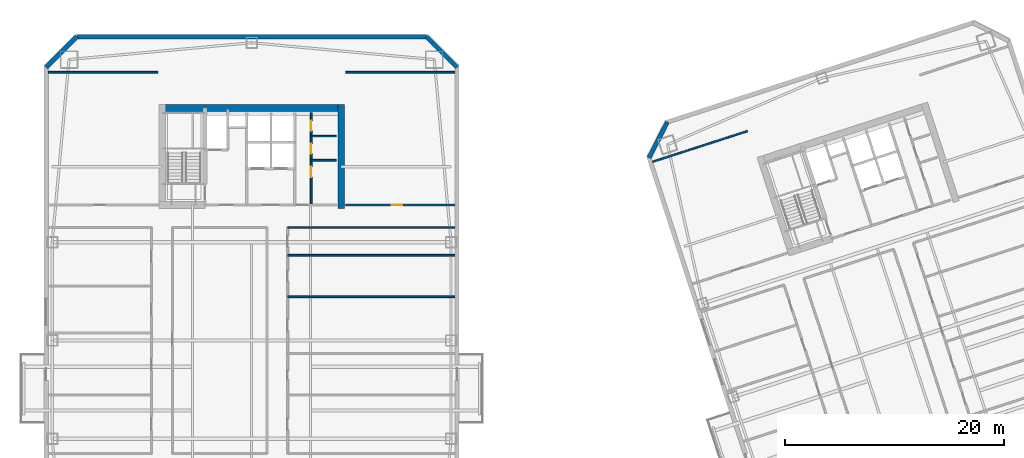
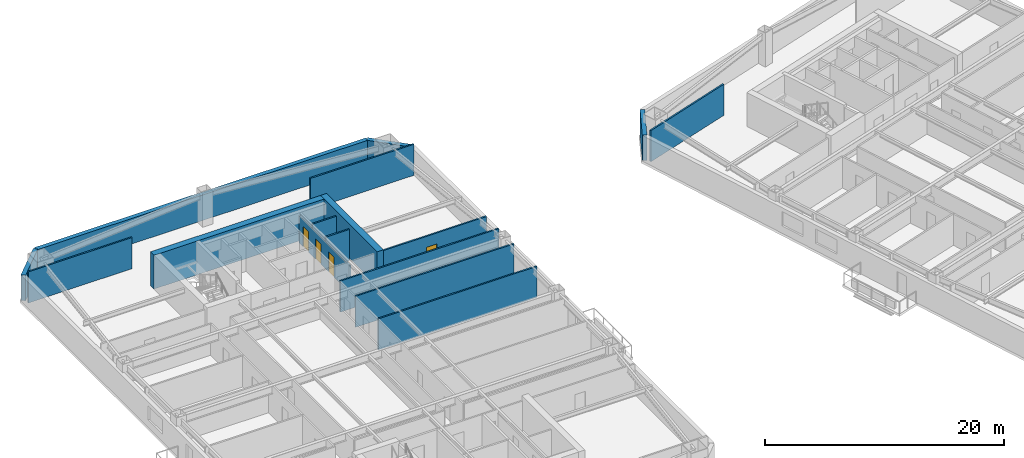
# One storey, part 6 of 14: 16 walls, 4 doors, 4 openings.
"""IFC4 building model written with IfcOpenShell, lengths in metres."""

from ifc_helpers import new_model, si_unit, direction, frame, frame_2d, origin, place, context, subcontext, project, spatial, rectangle, extrude, material, layer, layer_set, type_object, element, fill, save


model = new_model("IFC4")

# Units and contexts
model_context = context("Model", 3, precision=1e-05, world=origin(), true_north=direction((0.0, 1.0)))
body_context = subcontext(model_context, "Body", "Model", "MODEL_VIEW")
ifc_project = project(units=[si_unit("LENGTHUNIT", "METRE"), si_unit("AREAUNIT", "SQUARE_METRE"), si_unit("VOLUMEUNIT", "CUBIC_METRE"), si_unit("PLANEANGLEUNIT", "RADIAN"), si_unit("MASSUNIT", "GRAM", prefix="KILO")], contexts=[model_context])

# Site, building, storey
site_placement = place(None, origin())
site = spatial("IfcSite", under=ifc_project, at=site_placement, CompositionType="ELEMENT")
building_placement = place(site_placement, origin())
building = spatial("IfcBuilding", under=site, at=building_placement, Name="Qiaolan Cultural Towers", CompositionType="ELEMENT")
storey_placement = place(building_placement, frame((0.0, 0.0, 103.5)))
storey = spatial("IfcBuildingStorey", under=building, at=storey_placement, Name="L26", CompositionType="ELEMENT", Elevation=103.5)

# Walls
ifc_material_1 = material(Name="Concrete C55", Category="concrete")
ifc_layer_1 = layer(ifc_material_1, 0.60009765625)
ifc_layer_set_1 = layer_set([ifc_layer_1], Name="Concrete C55")
wall_type_1 = type_object("IfcWallType", Name="WL-CORE-600", PredefinedType="SHEAR", material=ifc_layer_set_1)
wall_1_placement = place(storey_placement, frame((21.5, 55.280029296875, 0.0), z_axis=(0.0, 0.0, 1.0), x_axis=(1.0, 0.0, 0.0)))
element("IfcWall", 1, at=wall_1_placement, inside=storey, type_object=wall_type_1, Name="L26 T1-CN Outer Core Shear Wall", PredefinedType="SHEAR", context=body_context, shape_type="SweptSolid", body=[
    extrude(rectangle(XDim=17.0, YDim=0.60009765625, at=frame_2d((8.5, 0.0))), origin(), (0.0, 0.0, 1.0), 3.449951171875),
])
wall_2_placement = place(storey_placement, frame((38.199951171875, 46.10009765625, 0.0), z_axis=(0.0, 0.0, 1.0), x_axis=(0.0, 1.0, 0.0)))
element("IfcWall", 2, at=wall_2_placement, inside=storey, type_object=wall_type_1, Name="L26 T1-CN East Core Shear Wall", PredefinedType="SHEAR", context=body_context, shape_type="SweptSolid", body=[
    extrude(rectangle(XDim=9.47998046875, YDim=0.60009765625, at=frame_2d((4.739990234375, 0.0))), origin(), (0.0, 0.0, 1.0), 3.449951171875),
])
ifc_material_2 = material(Name="Precast Concrete C50 Honed Stone Pier", Category="masonry")
ifc_layer_2 = layer(ifc_material_2, 0.39990234375)
ifc_layer_set_2 = layer_set([ifc_layer_2], Name="Precast Concrete C50 Honed Stone Pier")
wall_type_2 = type_object("IfcWallType", Name="WL-EXT-PIER-400", PredefinedType="SOLIDWALL", material=ifc_layer_set_2)
wall_3_placement = place(storey_placement, frame((11.199951171875, 59.0, 0.0), z_axis=(0.0, 0.0, 1.0), x_axis=(0.707106781187, 0.707106781187, 0.0)))
element("IfcWall", 3, at=wall_3_placement, inside=storey, type_object=wall_type_2, Name="L26 West Tower Precast Pier Facade Wall F2", PredefinedType="SOLIDWALL", context=body_context, shape_type="SweptSolid", body=[
    extrude(rectangle(XDim=3.9599609375, YDim=0.39990234375, at=frame_2d((1.97998046875, 0.0))), origin(), (0.0, 0.0, 1.0), 2.610107421875),
])
wall_4_placement = place(storey_placement, frame((14.0, 61.800048828125, 0.0), z_axis=(0.0, 0.0, 1.0), x_axis=(1.0, 0.0, 0.0)))
element("IfcWall", 4, at=wall_4_placement, inside=storey, type_object=wall_type_2, Name="L26 West Tower Precast Pier Facade Wall F3", PredefinedType="SOLIDWALL", context=body_context, shape_type="SweptSolid", body=[
    extrude(rectangle(XDim=32.0, YDim=0.39990234375, at=frame_2d((16.0, 0.0))), origin(), (0.0, 0.0, 1.0), 2.610107421875),
])
wall_5_placement = place(storey_placement, frame((46.0, 61.800048828125, 0.0), z_axis=(0.0, 0.0, 1.0), x_axis=(0.707106781187, -0.707106781187, 0.0)))
element("IfcWall", 5, at=wall_5_placement, inside=storey, type_object=wall_type_2, Name="L26 West Tower Precast Pier Facade Wall F4", PredefinedType="SOLIDWALL", context=body_context, shape_type="SweptSolid", body=[
    extrude(rectangle(XDim=3.9599609375, YDim=0.39990234375, at=frame_2d((1.97998046875, 0.0))), origin(), (0.0, 0.0, 1.0), 2.610107421875),
])
wall_6_placement = place(storey_placement, frame((66.37744140625, 50.718505859375, 0.0), z_axis=(0.0, 0.0, 1.0), x_axis=(0.454026238093, 0.890988313685, 0.0)))
element("IfcWall", 6, at=wall_6_placement, inside=storey, type_object=wall_type_2, Name="L26 East Tower Precast Pier Facade Wall F2", PredefinedType="SOLIDWALL", context=body_context, shape_type="SweptSolid", body=[
    extrude(rectangle(XDim=3.677001953125, YDim=0.39990234375, at=frame_2d((1.83837890625, 0.0))), origin(), (0.0, 0.0, 1.0), 2.610107421875),
])

# Wall, openings, doors
ifc_material_3 = material(Name="Autoclaved Aerated Concrete Block B06", Category="concrete")
ifc_layer_3 = layer(ifc_material_3, 0.14990234375)
ifc_layer_set_3 = layer_set([ifc_layer_3], Name="Autoclaved Aerated Concrete Block B06")
wall_type_3 = type_object("IfcWallType", Name="WL-PART-150", PredefinedType="PARTITIONING", material=ifc_layer_set_3)
wall_7_placement = place(storey_placement, frame((35.449951171875, 46.39990234375, 0.0), z_axis=(0.0, 0.0, 1.0), x_axis=(0.0, 1.0, 0.0)))
wall_7 = element("IfcWall", 7, at=wall_7_placement, inside=storey, type_object=wall_type_3, Name="L26 T1-CN Sanitary Vestibule Wall", PredefinedType="PARTITIONING", context=body_context, shape_type="SweptSolid", body=[
    extrude(rectangle(XDim=8.43017578125, YDim=0.14990234375, at=frame_2d((4.215087890625, 0.0))), origin(), (0.0, 0.0, 1.0), 2.764892578125),
])
opening_1_placement = place(wall_7_placement, frame((2.550048828125, 0.0, 0.0)))
opening_1 = element("IfcOpeningElement", 8, at=opening_1_placement, cuts=wall_7, Name="Opening ID-05", PredefinedType="OPENING", context=body_context, shape_type="SweptSolid", body=[
    extrude(rectangle(XDim=0.949951171875, YDim=2.050048828125, at=frame_2d((0.47509765625, 1.02490234375))), frame((0.0, 0.0849609375, 0.0), z_axis=(0.0, -1.0, 0.0), x_axis=(1.0, 0.0, 0.0)), (0.0, 0.0, 1.0), 0.169921875),
])
opening_2_placement = place(wall_7_placement, frame((4.699951171875, 0.0, 0.0)))
opening_2 = element("IfcOpeningElement", 9, at=opening_2_placement, cuts=wall_7, Name="Opening ID-06", PredefinedType="OPENING", context=body_context, shape_type="SweptSolid", body=[
    extrude(rectangle(XDim=0.89990234375, YDim=2.050048828125, at=frame_2d((0.449951171875, 1.02490234375))), frame((0.0, 0.0849609375, 0.0), z_axis=(0.0, -1.0, 0.0), x_axis=(1.0, 0.0, 0.0)), (0.0, 0.0, 1.0), 0.169921875),
])
opening_3_placement = place(wall_7_placement, frame((6.800048828125, 0.0, 0.0)))
opening_3 = element("IfcOpeningElement", 10, at=opening_3_placement, cuts=wall_7, Name="Opening ID-06", PredefinedType="OPENING", context=body_context, shape_type="SweptSolid", body=[
    extrude(rectangle(XDim=0.89990234375, YDim=2.050048828125, at=frame_2d((0.449951171875, 1.02490234375))), frame((0.0, 0.0849609375, 0.0), z_axis=(0.0, -1.0, 0.0), x_axis=(1.0, 0.0, 0.0)), (0.0, 0.0, 1.0), 0.169921875),
])
ifc_material_4 = material(Name="Fire-Rated Laminate Core Service Door", Category="timber")
door_type_1 = type_object("IfcDoorType", Name="DR-INT-900", OperationType="NOTDEFINED", PredefinedType="DOOR", material=ifc_material_4)
door_1_placement = place(opening_2_placement, origin())
door_1 = element("IfcDoor", 11, at=door_1_placement, inside=storey, type_object=door_type_1, Name="L26 Men Washroom Door", OperationType="SINGLE_SWING_LEFT", OverallHeight=2.050048828125, OverallWidth=0.89990234375, PredefinedType="DOOR", context=body_context, shape_type="SweptSolid", body=[
    extrude(rectangle(XDim=0.89990234375, YDim=2.050048828125, at=frame_2d((0.449951171875, 1.02490234375))), frame((0.0, 0.02490234375, 0.0), z_axis=(0.0, -1.0, 0.0), x_axis=(1.0, 0.0, 0.0)), (0.0, 0.0, 1.0), 0.050048828125),
])
fill(opening_2, door_1)
door_2_placement = place(opening_3_placement, origin())
door_2 = element("IfcDoor", 12, at=door_2_placement, inside=storey, type_object=door_type_1, Name="L26 Women Washroom Door", OperationType="SINGLE_SWING_RIGHT", OverallHeight=2.050048828125, OverallWidth=0.89990234375, PredefinedType="DOOR", context=body_context, shape_type="SweptSolid", body=[
    extrude(rectangle(XDim=0.89990234375, YDim=2.050048828125, at=frame_2d((0.449951171875, 1.02490234375))), frame((0.0, 0.02490234375, 0.0), z_axis=(0.0, -1.0, 0.0), x_axis=(1.0, 0.0, 0.0)), (0.0, 0.0, 1.0), 0.050048828125),
])
fill(opening_3, door_2)
ifc_material_5 = material(Name="Fire-Rated Laminate Accessible Core Door", Category="timber")
door_type_2 = type_object("IfcDoorType", Name="DR-INT-950", OperationType="NOTDEFINED", PredefinedType="DOOR", material=ifc_material_5)
door_3_placement = place(opening_1_placement, origin())
door_3 = element("IfcDoor", 13, at=door_3_placement, inside=storey, type_object=door_type_2, Name="L26 Accessible Family Washroom Door", OperationType="SINGLE_SWING_LEFT", OverallHeight=2.050048828125, OverallWidth=0.949951171875, PredefinedType="DOOR", context=body_context, shape_type="SweptSolid", body=[
    extrude(rectangle(XDim=0.949951171875, YDim=2.050048828125, at=frame_2d((0.47509765625, 1.02490234375))), frame((0.0, 0.02490234375, 0.0), z_axis=(0.0, -1.0, 0.0), x_axis=(1.0, 0.0, 0.0)), (0.0, 0.0, 1.0), 0.050048828125),
])
fill(opening_1, door_3)

# Walls
for number, where, z_axis, x_axis, name in (
    (14, (35.449951171875, 50.5, 0.0), (0.0, 0.0, 1.0), (1.0, 0.0, 0.0), "L26 T1-CN Restroom Split Wall 1"),
    (15, (35.449951171875, 52.699951171875, 0.0), (0.0, 0.0, 1.0), (1.0, 0.0, 0.0), "L26 T1-CN Restroom Split Wall 2"),
):
    element("IfcWall", number, at=place(storey_placement, frame(where, z_axis=z_axis, x_axis=x_axis)), inside=storey, type_object=wall_type_3, Name=name, PredefinedType="PARTITIONING", context=body_context, shape_type="SweptSolid", body=[
        extrude(rectangle(XDim=2.300048828125, YDim=0.14990234375, at=frame_2d((1.14990234375, 0.0))), origin(), (0.0, 0.0, 1.0), 3.175048828125),
    ])
for number, where, z_axis, x_axis, name in (
    (16, (11.39990234375, 58.550048828125, 0.0), (0.0, 0.0, 1.0), (1.0, 0.0, 0.0), "L26 T1 Flank Wall FLK-NW"),
    (17, (38.60009765625, 58.550048828125, 0.0), (0.0, 0.0, 1.0), (1.0, 0.0, 0.0), "L26 T1 Flank Wall FLK-NE"),
):
    element("IfcWall", number, at=place(storey_placement, frame(where, z_axis=z_axis, x_axis=x_axis)), inside=storey, type_object=wall_type_3, Name=name, PredefinedType="PARTITIONING", context=body_context, shape_type="SweptSolid", body=[
        extrude(rectangle(XDim=10.0, YDim=0.14990234375, at=frame_2d((5.0, 0.0))), origin(), (0.0, 0.0, 1.0), 3.175048828125),
    ])

# Wall, opening, door
wall_8_placement = place(storey_placement, frame((38.60009765625, 46.39990234375, 0.0), z_axis=(0.0, 0.0, 1.0), x_axis=(1.0, 0.0, 0.0)))
wall_8 = element("IfcWall", 18, at=wall_8_placement, inside=storey, type_object=wall_type_3, Name="L26 T1 Flank Front FLK-NE", PredefinedType="PARTITIONING", context=body_context, shape_type="SweptSolid", body=[
    extrude(rectangle(XDim=10.0, YDim=0.14990234375, at=frame_2d((5.0, 0.0))), origin(), (0.0, 0.0, 1.0), 3.175048828125),
])
opening_4_placement = place(wall_8_placement, frame((4.199951171875, 0.0, 0.0)))
opening_4 = element("IfcOpeningElement", 19, at=opening_4_placement, cuts=wall_8, Name="Opening ID-04", PredefinedType="OPENING", context=body_context, shape_type="SweptSolid", body=[
    extrude(rectangle(XDim=1.0, YDim=2.050048828125, at=frame_2d((0.5, 1.02490234375))), frame((0.0, 0.0849609375, 0.0), z_axis=(0.0, -1.0, 0.0), x_axis=(1.0, 0.0, 0.0)), (0.0, 0.0, 1.0), 0.169921875),
])
ifc_material_6 = material(Name="Oak Veneer Acoustic Office Door", Category="timber")
door_type_3 = type_object("IfcDoorType", Name="DR-INT-1000", OperationType="NOTDEFINED", PredefinedType="DOOR", material=ifc_material_6)
door_4_placement = place(opening_4_placement, origin())
door_4 = element("IfcDoor", 20, at=door_4_placement, inside=storey, type_object=door_type_3, Name="L26 T1 Corner Studio Door", OperationType="SINGLE_SWING_LEFT", OverallHeight=2.050048828125, OverallWidth=1.0, PredefinedType="DOOR", context=body_context, shape_type="SweptSolid", body=[
    extrude(rectangle(XDim=1.0, YDim=2.050048828125, at=frame_2d((0.5, 1.02490234375))), frame((0.0, 0.02490234375, 0.0), z_axis=(0.0, -1.0, 0.0), x_axis=(1.0, 0.0, 0.0)), (0.0, 0.0, 1.0), 0.050048828125),
])
fill(opening_4, door_4)

# Walls
for number, where, z_axis, x_axis, name in (
    (21, (33.300048828125, 44.35009765625, 0.0), (0.0, 0.0, 1.0), (1.0, 0.0, 0.0), "L26 T1 Interior Wall"),
    (22, (33.300048828125, 38.0, 0.0), (0.0, 0.0, 1.0), (1.0, 0.0, 0.0), "L26 T1 Interior Wall"),
    (23, (33.300048828125, 41.800048828125, 0.0), (0.0, 0.0, 1.0), (1.0, 0.0, 0.0), "L26 T1 Interior Wall"),
):
    element("IfcWall", number, at=place(storey_placement, frame(where, z_axis=z_axis, x_axis=x_axis)), inside=storey, type_object=wall_type_3, Name=name, PredefinedType="PARTITIONING", context=body_context, shape_type="SweptSolid", body=[
        extrude(rectangle(XDim=15.300048828125, YDim=0.14990234375, at=frame_2d((7.64990234375, 0.0))), origin(), (0.0, 0.0, 1.0), 3.175048828125),
    ])
wall_9_placement = place(storey_placement, frame((66.706787109375, 50.352294921875, 0.0), z_axis=(0.0, 0.0, 1.0), x_axis=(0.951057133767, 0.309015093986, 0.0)))
element("IfcWall", 24, at=wall_9_placement, inside=storey, type_object=wall_type_3, Name="L26 T2 Flank Wall FLK-NW", PredefinedType="PARTITIONING", context=body_context, shape_type="SweptSolid", body=[
    extrude(rectangle(XDim=9.099853515625, YDim=0.14990234375, at=frame_2d((4.5498046875, 0.0))), origin(), (0.0, 0.0, 1.0), 3.175048828125),
])

save(model, "model.ifc")
